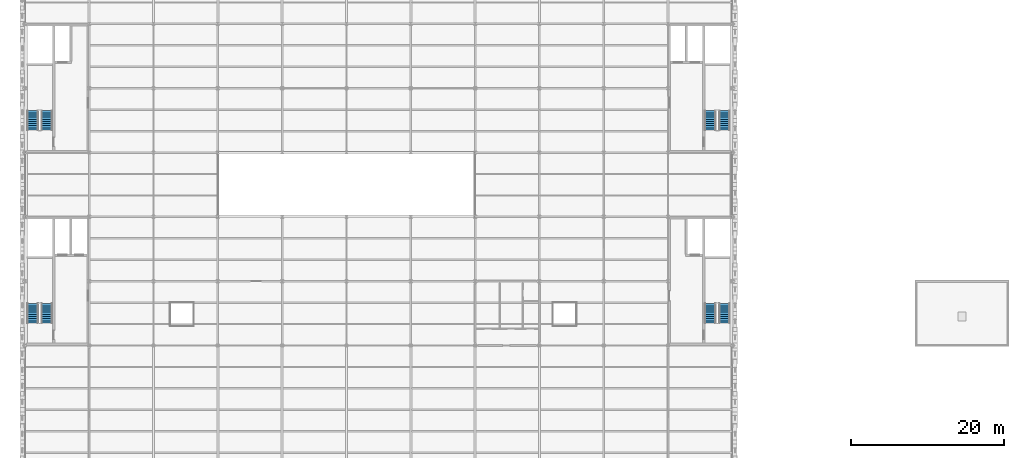
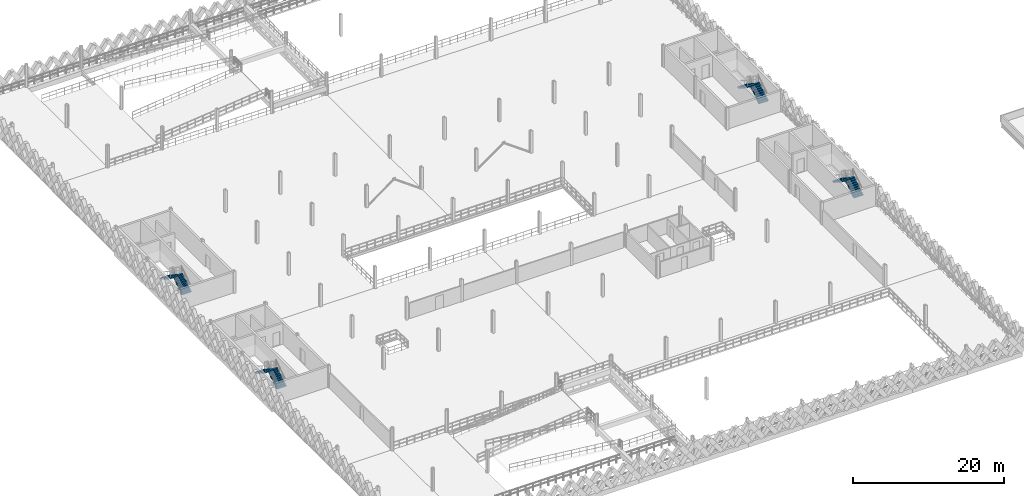
# One storey, part 53 of 62: 8 stair flights, 4 elements without a shape of their own.
"""IFC4 building model written with IfcOpenShell, lengths in metres."""

from ifc_helpers import new_model, si_unit, direction, frame, origin, place, context, subcontext, project, spatial, polyline, outline, extrude, material, type_object, element, aggregate, save


model = new_model("IFC4")

# Units and contexts
model_context = context("Model", 3, precision=1e-05, world=origin(), true_north=direction((0.0, 1.0)))
body_context = subcontext(model_context, "Body", "Model", "MODEL_VIEW")
ifc_project = project(units=[si_unit("LENGTHUNIT", "METRE"), si_unit("AREAUNIT", "SQUARE_METRE"), si_unit("VOLUMEUNIT", "CUBIC_METRE"), si_unit("PLANEANGLEUNIT", "RADIAN"), si_unit("MASSUNIT", "GRAM", prefix="KILO"), si_unit("THERMODYNAMICTEMPERATUREUNIT", "KELVIN"), si_unit("POWERUNIT", "WATT")], contexts=[model_context])

# Site, building, storey
site_placement = place(None, origin())
site = spatial("IfcSite", under=ifc_project, at=site_placement, CompositionType="ELEMENT")
building_placement = place(site_placement, origin())
building = spatial("IfcBuilding", under=site, at=building_placement, Name="Tembeka Court Mobility Hub", CompositionType="ELEMENT")
storey_placement = place(building_placement, frame((0.0, 0.0, 16.199951171875)))
storey = spatial("IfcBuildingStorey", under=building, at=storey_placement, Name="L04", CompositionType="ELEMENT", Elevation=16.199951171875)

# Stair, stair flights
ifc_material = material(Name="Concrete C40/50", Category="concrete")
stair_type_1 = type_object("IfcStairType", Name="STR-ST01L04", PredefinedType="HALF_TURN_STAIR", material=ifc_material)
stair_1_placement = place(storey_placement, origin())
stair_1 = element("IfcStair", 1, at=stair_1_placement, inside=storey, type_object=stair_type_1, Name="Protected exit stair ST01 (L04)", PredefinedType="HALF_TURN_STAIR")
stair_flight_type_1 = type_object("IfcStairFlightType", Name="STF-ST01L04F1", PredefinedType="STRAIGHT", material=ifc_material)
stair_flight_1_placement = place(storey_placement, frame((2.875, 41.35009765625, 0.0), z_axis=(0.0, 0.0, 1.0), x_axis=(0.0, 1.0, 0.0)))
stair_flight_1 = element("IfcStairFlight", 2, at=stair_flight_1_placement, type_object=stair_flight_type_1, Name="ST01L04 flight 1", NumberOfRisers=10, NumberOfTreads=9, PredefinedType="STRAIGHT", RiserHeight=0.18, TreadLength=0.28, context=body_context, shape_type="SweptSolid", body=[
    extrude(outline(polyline([(0.0, 0.0), (0.0, 0.179931640625), (0.280029296875, 0.179931640625), (0.280029296875, 0.360107421875), (0.56005859375, 0.360107421875), (0.56005859375, 0.5400390625), (0.840087890625, 0.5400390625), (0.840087890625, 0.719970703125), (1.1201171875, 0.719970703125), (1.1201171875, 0.89990234375), (1.39990234375, 0.89990234375), (1.39990234375, 1.080078125), (1.679931640625, 1.080078125), (1.679931640625, 1.260009765625), (1.9599609375, 1.260009765625), (1.9599609375, 1.43994140625), (2.239990234375, 1.43994140625), (2.239990234375, 1.6201171875), (2.52001953125, 1.6201171875), (2.52001953125, 1.800048828125), (2.52001953125, 1.44189453125), (0.277099609375, 0.0), (0.0, 0.0)])), frame((0.0, 0.72509765625, 0.0), z_axis=(0.0, -1.0, 0.0), x_axis=(1.0, 0.0, 0.0)), (0.0, 0.0, 1.0), 1.449951171875),
])
stair_flight_type_2 = type_object("IfcStairFlightType", Name="STF-ST01L04F2", PredefinedType="STRAIGHT", material=ifc_material)
stair_flight_2_placement = place(storey_placement, frame((1.02490234375, 43.8701171875, 1.800048828125), z_axis=(0.0, 0.0, 1.0), x_axis=(0.0, -1.0, 0.0)))
stair_flight_2 = element("IfcStairFlight", 3, at=stair_flight_2_placement, type_object=stair_flight_type_2, Name="ST01L04 flight 2", NumberOfRisers=10, NumberOfTreads=9, PredefinedType="STRAIGHT", RiserHeight=0.18, TreadLength=0.28, context=body_context, shape_type="SweptSolid", body=[
    extrude(outline(polyline([(0.0, 0.0), (0.0, 0.179931640625), (0.280029296875, 0.179931640625), (0.280029296875, 0.360107421875), (0.56005859375, 0.360107421875), (0.56005859375, 0.5400390625), (0.840087890625, 0.5400390625), (0.840087890625, 0.719970703125), (1.1201171875, 0.719970703125), (1.1201171875, 0.89990234375), (1.39990234375, 0.89990234375), (1.39990234375, 1.080078125), (1.679931640625, 1.080078125), (1.679931640625, 1.260009765625), (1.9599609375, 1.260009765625), (1.9599609375, 1.43994140625), (2.239990234375, 1.43994140625), (2.239990234375, 1.6201171875), (2.52001953125, 1.6201171875), (2.52001953125, 1.800048828125), (2.52001953125, 1.44189453125), (0.277099609375, 0.0), (0.0, 0.0)])), frame((0.0, 0.72509765625, 0.0), z_axis=(0.0, -1.0, 0.0), x_axis=(1.0, 0.0, 0.0)), (0.0, 0.0, 1.0), 1.449951171875),
])
aggregate(stair_1, [stair_flight_1, stair_flight_2])

stair_type_2 = type_object("IfcStairType", Name="STR-ST02L04", PredefinedType="HALF_TURN_STAIR", material=ifc_material)
stair_2_placement = place(storey_placement, origin())
stair_2 = element("IfcStair", 4, at=stair_2_placement, inside=storey, type_object=stair_type_2, Name="Protected exit stair ST02 (L04)", PredefinedType="HALF_TURN_STAIR")
stair_flight_type_3 = type_object("IfcStairFlightType", Name="STF-ST02L04F1", PredefinedType="STRAIGHT", material=ifc_material)
stair_flight_3_placement = place(storey_placement, frame((91.375, 66.550048828125, 0.0), z_axis=(0.0, 0.0, 1.0), x_axis=(0.0, 1.0, 0.0)))
stair_flight_3 = element("IfcStairFlight", 5, at=stair_flight_3_placement, type_object=stair_flight_type_3, Name="ST02L04 flight 1", NumberOfRisers=10, NumberOfTreads=9, PredefinedType="STRAIGHT", RiserHeight=0.18, TreadLength=0.28, context=body_context, shape_type="SweptSolid", body=[
    extrude(outline(polyline([(0.0, 0.0), (0.0, 0.179931640625), (0.280029296875, 0.179931640625), (0.280029296875, 0.360107421875), (0.56005859375, 0.360107421875), (0.56005859375, 0.5400390625), (0.840087890625, 0.5400390625), (0.840087890625, 0.719970703125), (1.1201171875, 0.719970703125), (1.1201171875, 0.89990234375), (1.39990234375, 0.89990234375), (1.39990234375, 1.080078125), (1.679931640625, 1.080078125), (1.679931640625, 1.260009765625), (1.9599609375, 1.260009765625), (1.9599609375, 1.43994140625), (2.239990234375, 1.43994140625), (2.239990234375, 1.6201171875), (2.52001953125, 1.6201171875), (2.52001953125, 1.800048828125), (2.52001953125, 1.44189453125), (0.277099609375, 0.0), (0.0, 0.0)])), frame((0.0, 0.72509765625, 0.0), z_axis=(0.0, -1.0, 0.0), x_axis=(1.0, 0.0, 0.0)), (0.0, 0.0, 1.0), 1.449951171875),
])
stair_flight_type_4 = type_object("IfcStairFlightType", Name="STF-ST02L04F2", PredefinedType="STRAIGHT", material=ifc_material)
stair_flight_4_placement = place(storey_placement, frame((89.52490234375, 69.070068359375, 1.800048828125), z_axis=(0.0, 0.0, 1.0), x_axis=(0.0, -1.0, 0.0)))
stair_flight_4 = element("IfcStairFlight", 6, at=stair_flight_4_placement, type_object=stair_flight_type_4, Name="ST02L04 flight 2", NumberOfRisers=10, NumberOfTreads=9, PredefinedType="STRAIGHT", RiserHeight=0.18, TreadLength=0.28, context=body_context, shape_type="SweptSolid", body=[
    extrude(outline(polyline([(0.0, 0.0), (0.0, 0.179931640625), (0.280029296875, 0.179931640625), (0.280029296875, 0.360107421875), (0.56005859375, 0.360107421875), (0.56005859375, 0.5400390625), (0.840087890625, 0.5400390625), (0.840087890625, 0.719970703125), (1.1201171875, 0.719970703125), (1.1201171875, 0.89990234375), (1.39990234375, 0.89990234375), (1.39990234375, 1.080078125), (1.679931640625, 1.080078125), (1.679931640625, 1.260009765625), (1.9599609375, 1.260009765625), (1.9599609375, 1.43994140625), (2.239990234375, 1.43994140625), (2.239990234375, 1.6201171875), (2.52001953125, 1.6201171875), (2.52001953125, 1.800048828125), (2.52001953125, 1.44189453125), (0.277099609375, 0.0), (0.0, 0.0)])), frame((0.0, 0.72509765625, 0.0), z_axis=(0.0, -1.0, 0.0), x_axis=(1.0, 0.0, 0.0)), (0.0, 0.0, 1.0), 1.449951171875),
])
aggregate(stair_2, [stair_flight_3, stair_flight_4])

stair_type_3 = type_object("IfcStairType", Name="STR-ST03L04", PredefinedType="HALF_TURN_STAIR", material=ifc_material)
stair_3_placement = place(storey_placement, origin())
stair_3 = element("IfcStair", 7, at=stair_3_placement, inside=storey, type_object=stair_type_3, Name="Protected exit stair ST03 (L04)", PredefinedType="HALF_TURN_STAIR")
stair_flight_type_5 = type_object("IfcStairFlightType", Name="STF-ST03L04F1", PredefinedType="STRAIGHT", material=ifc_material)
stair_flight_5_placement = place(storey_placement, frame((2.875, 66.550048828125, 0.0), z_axis=(0.0, 0.0, 1.0), x_axis=(0.0, 1.0, 0.0)))
stair_flight_5 = element("IfcStairFlight", 8, at=stair_flight_5_placement, type_object=stair_flight_type_5, Name="ST03L04 flight 1", NumberOfRisers=10, NumberOfTreads=9, PredefinedType="STRAIGHT", RiserHeight=0.18, TreadLength=0.28, context=body_context, shape_type="SweptSolid", body=[
    extrude(outline(polyline([(0.0, 0.0), (0.0, 0.179931640625), (0.280029296875, 0.179931640625), (0.280029296875, 0.360107421875), (0.56005859375, 0.360107421875), (0.56005859375, 0.5400390625), (0.840087890625, 0.5400390625), (0.840087890625, 0.719970703125), (1.1201171875, 0.719970703125), (1.1201171875, 0.89990234375), (1.39990234375, 0.89990234375), (1.39990234375, 1.080078125), (1.679931640625, 1.080078125), (1.679931640625, 1.260009765625), (1.9599609375, 1.260009765625), (1.9599609375, 1.43994140625), (2.239990234375, 1.43994140625), (2.239990234375, 1.6201171875), (2.52001953125, 1.6201171875), (2.52001953125, 1.800048828125), (2.52001953125, 1.44189453125), (0.277099609375, 0.0), (0.0, 0.0)])), frame((0.0, 0.72509765625, 0.0), z_axis=(0.0, -1.0, 0.0), x_axis=(1.0, 0.0, 0.0)), (0.0, 0.0, 1.0), 1.449951171875),
])
stair_flight_type_6 = type_object("IfcStairFlightType", Name="STF-ST03L04F2", PredefinedType="STRAIGHT", material=ifc_material)
stair_flight_6_placement = place(storey_placement, frame((1.02490234375, 69.070068359375, 1.800048828125), z_axis=(0.0, 0.0, 1.0), x_axis=(0.0, -1.0, 0.0)))
stair_flight_6 = element("IfcStairFlight", 9, at=stair_flight_6_placement, type_object=stair_flight_type_6, Name="ST03L04 flight 2", NumberOfRisers=10, NumberOfTreads=9, PredefinedType="STRAIGHT", RiserHeight=0.18, TreadLength=0.28, context=body_context, shape_type="SweptSolid", body=[
    extrude(outline(polyline([(0.0, 0.0), (0.0, 0.179931640625), (0.280029296875, 0.179931640625), (0.280029296875, 0.360107421875), (0.56005859375, 0.360107421875), (0.56005859375, 0.5400390625), (0.840087890625, 0.5400390625), (0.840087890625, 0.719970703125), (1.1201171875, 0.719970703125), (1.1201171875, 0.89990234375), (1.39990234375, 0.89990234375), (1.39990234375, 1.080078125), (1.679931640625, 1.080078125), (1.679931640625, 1.260009765625), (1.9599609375, 1.260009765625), (1.9599609375, 1.43994140625), (2.239990234375, 1.43994140625), (2.239990234375, 1.6201171875), (2.52001953125, 1.6201171875), (2.52001953125, 1.800048828125), (2.52001953125, 1.44189453125), (0.277099609375, 0.0), (0.0, 0.0)])), frame((0.0, 0.72509765625, 0.0), z_axis=(0.0, -1.0, 0.0), x_axis=(1.0, 0.0, 0.0)), (0.0, 0.0, 1.0), 1.449951171875),
])
aggregate(stair_3, [stair_flight_5, stair_flight_6])

stair_type_4 = type_object("IfcStairType", Name="STR-ST04L04", PredefinedType="HALF_TURN_STAIR", material=ifc_material)
stair_4_placement = place(storey_placement, origin())
stair_4 = element("IfcStair", 10, at=stair_4_placement, inside=storey, type_object=stair_type_4, Name="Protected exit stair ST04 (L04)", PredefinedType="HALF_TURN_STAIR")
stair_flight_type_7 = type_object("IfcStairFlightType", Name="STF-ST04L04F1", PredefinedType="STRAIGHT", material=ifc_material)
stair_flight_7_placement = place(storey_placement, frame((91.375, 41.35009765625, 0.0), z_axis=(0.0, 0.0, 1.0), x_axis=(0.0, 1.0, 0.0)))
stair_flight_7 = element("IfcStairFlight", 11, at=stair_flight_7_placement, type_object=stair_flight_type_7, Name="ST04L04 flight 1", NumberOfRisers=10, NumberOfTreads=9, PredefinedType="STRAIGHT", RiserHeight=0.18, TreadLength=0.28, context=body_context, shape_type="SweptSolid", body=[
    extrude(outline(polyline([(0.0, 0.0), (0.0, 0.179931640625), (0.280029296875, 0.179931640625), (0.280029296875, 0.360107421875), (0.56005859375, 0.360107421875), (0.56005859375, 0.5400390625), (0.840087890625, 0.5400390625), (0.840087890625, 0.719970703125), (1.1201171875, 0.719970703125), (1.1201171875, 0.89990234375), (1.39990234375, 0.89990234375), (1.39990234375, 1.080078125), (1.679931640625, 1.080078125), (1.679931640625, 1.260009765625), (1.9599609375, 1.260009765625), (1.9599609375, 1.43994140625), (2.239990234375, 1.43994140625), (2.239990234375, 1.6201171875), (2.52001953125, 1.6201171875), (2.52001953125, 1.800048828125), (2.52001953125, 1.44189453125), (0.277099609375, 0.0), (0.0, 0.0)])), frame((0.0, 0.72509765625, 0.0), z_axis=(0.0, -1.0, 0.0), x_axis=(1.0, 0.0, 0.0)), (0.0, 0.0, 1.0), 1.449951171875),
])
stair_flight_type_8 = type_object("IfcStairFlightType", Name="STF-ST04L04F2", PredefinedType="STRAIGHT", material=ifc_material)
stair_flight_8_placement = place(storey_placement, frame((89.52490234375, 43.8701171875, 1.800048828125), z_axis=(0.0, 0.0, 1.0), x_axis=(0.0, -1.0, 0.0)))
stair_flight_8 = element("IfcStairFlight", 12, at=stair_flight_8_placement, type_object=stair_flight_type_8, Name="ST04L04 flight 2", NumberOfRisers=10, NumberOfTreads=9, PredefinedType="STRAIGHT", RiserHeight=0.18, TreadLength=0.28, context=body_context, shape_type="SweptSolid", body=[
    extrude(outline(polyline([(0.0, 0.0), (0.0, 0.179931640625), (0.280029296875, 0.179931640625), (0.280029296875, 0.360107421875), (0.56005859375, 0.360107421875), (0.56005859375, 0.5400390625), (0.840087890625, 0.5400390625), (0.840087890625, 0.719970703125), (1.1201171875, 0.719970703125), (1.1201171875, 0.89990234375), (1.39990234375, 0.89990234375), (1.39990234375, 1.080078125), (1.679931640625, 1.080078125), (1.679931640625, 1.260009765625), (1.9599609375, 1.260009765625), (1.9599609375, 1.43994140625), (2.239990234375, 1.43994140625), (2.239990234375, 1.6201171875), (2.52001953125, 1.6201171875), (2.52001953125, 1.800048828125), (2.52001953125, 1.44189453125), (0.277099609375, 0.0), (0.0, 0.0)])), frame((0.0, 0.72509765625, 0.0), z_axis=(0.0, -1.0, 0.0), x_axis=(1.0, 0.0, 0.0)), (0.0, 0.0, 1.0), 1.449951171875),
])
aggregate(stair_4, [stair_flight_7, stair_flight_8])

save(model, "model.ifc")
